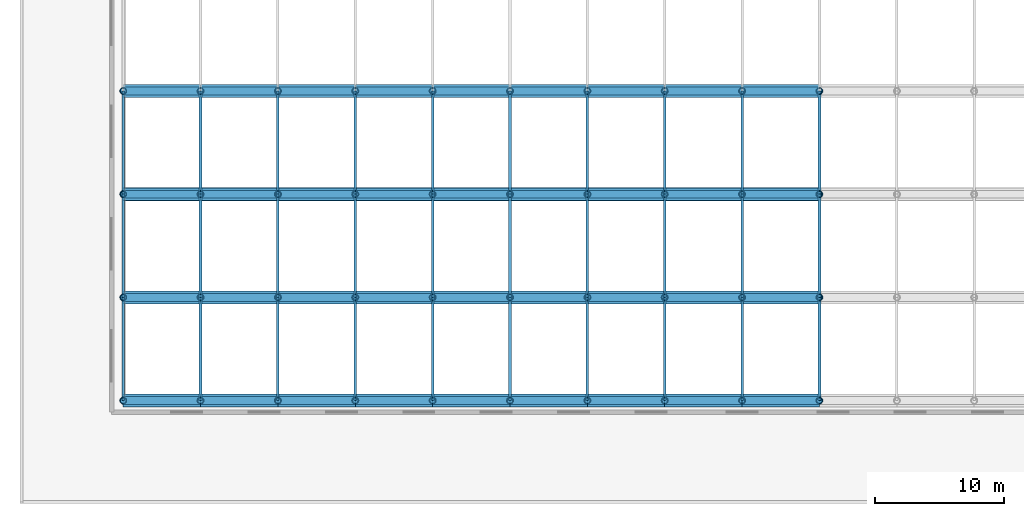
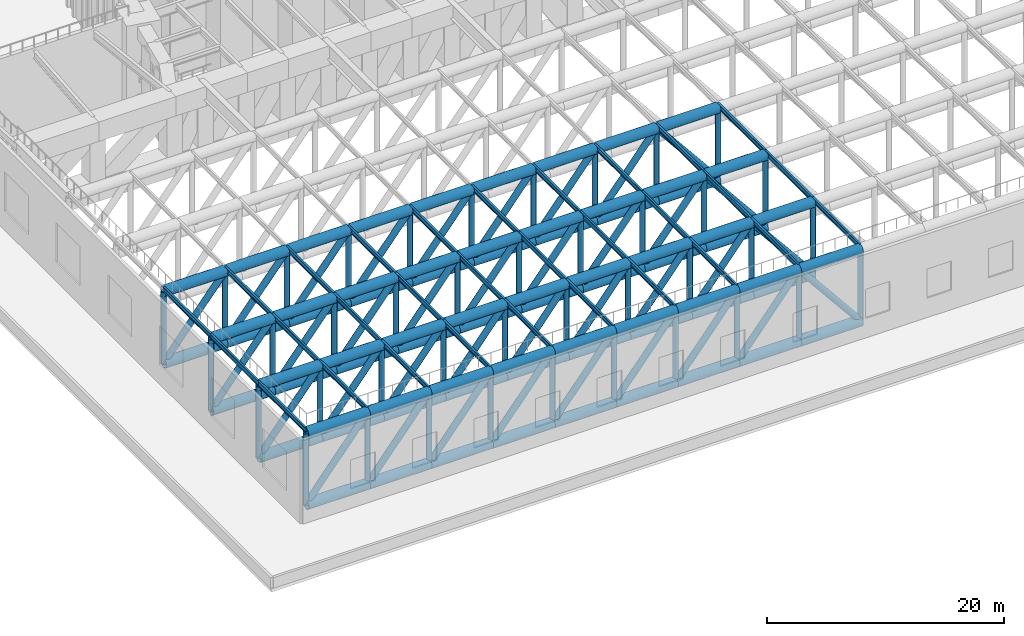
# One storey, part 2 of 20: 148 members, 30 beams.
"""IFC4 building model written with IfcOpenShell, lengths in metres."""

from ifc_helpers import new_model, si_unit, direction, frame, origin, origin_2d, place, context, subcontext, project, spatial, hollow_circle, i_section, extrude, material, material_profile, profile_set, type_object, element, save


model = new_model("IFC4")

# Units and contexts
model_context = context("Model", 3, precision=1e-05, world=origin(), true_north=direction((0.0, 1.0)))
body_context = subcontext(model_context, "Body", "Model", "MODEL_VIEW")
ifc_project = project(units=[si_unit("LENGTHUNIT", "METRE"), si_unit("AREAUNIT", "SQUARE_METRE"), si_unit("VOLUMEUNIT", "CUBIC_METRE"), si_unit("PLANEANGLEUNIT", "RADIAN"), si_unit("MASSUNIT", "GRAM", prefix="KILO")], contexts=[model_context])

# Site, building, storey
site_placement = place(None, origin())
site = spatial("IfcSite", under=ifc_project, at=site_placement, CompositionType="ELEMENT")
building_placement = place(site_placement, origin())
building = spatial("IfcBuilding", under=site, at=building_placement, Name="Isbrekke Arena Tower", CompositionType="ELEMENT")
storey_placement = place(building_placement, frame((0.0, 0.0, 19.0)))
storey = spatial("IfcBuildingStorey", under=building, at=storey_placement, Name="L03", CompositionType="ELEMENT", Elevation=19.0)

# Beams
ifc_material_1 = material(Name="Steel S355", Category="steel")
ifc_material_profile_1 = material_profile(ifc_material_1, i_section(OverallWidth=0.199951171875, OverallDepth=0.5, WebThickness=0.01025390625, FlangeThickness=0.01611328125, FilletRadius=0.02099609375, at=origin_2d()), Name="IPE 500")
ifc_profile_set_1 = profile_set([ifc_material_profile_1], Name="Steel S355")
beam_type = type_object("IfcBeamType", Name="RP1 IPE 500", PredefinedType="BEAM", material=ifc_profile_set_1)
for number, where, z_axis, x_axis, name in (
    (1, (-48.0, -66.0, 8.75), (0.0, 1.0, 0.0), (-1.0, 0.0, 0.0), "RP1 roof purlin 1.1"),
    (2, (-42.0, -66.0, 8.75), (0.0, 1.0, 0.0), (-1.0, 0.0, 0.0), "RP1 roof purlin 1.2"),
    (3, (-36.0, -66.0, 8.75), (0.0, 1.0, 0.0), (-1.0, 0.0, 0.0), "RP1 roof purlin 1.3"),
    (4, (-30.0, -66.0, 8.75), (0.0, 1.0, 0.0), (-1.0, 0.0, 0.0), "RP1 roof purlin 1.4"),
    (5, (-24.0, -66.0, 8.75), (0.0, 1.0, 0.0), (-1.0, 0.0, 0.0), "RP1 roof purlin 1.5"),
    (6, (-18.0, -66.0, 8.75), (0.0, 1.0, 0.0), (-1.0, 0.0, 0.0), "RP1 roof purlin 1.6"),
    (7, (-12.0, -66.0, 8.75), (0.0, 1.0, 0.0), (-1.0, 0.0, 0.0), "RP1 roof purlin 1.7"),
    (8, (-6.0, -66.0, 8.75), (0.0, 1.0, 0.0), (-1.0, 0.0, 0.0), "RP1 roof purlin 1.8"),
    (9, (0.0, -66.0, 8.75), (0.0, 1.0, 0.0), (-1.0, 0.0, 0.0), "RP1 roof purlin 1.9"),
    (10, (6.0, -66.0, 8.75), (0.0, 1.0, 0.0), (-1.0, 0.0, 0.0), "RP1 roof purlin 1.10"),
    (11, (-48.0, -58.0, 8.75), (0.0, 1.0, 0.0), (-1.0, 0.0, 0.0), "RP1 roof purlin 2.1"),
    (12, (-42.0, -58.0, 8.75), (0.0, 1.0, 0.0), (-1.0, 0.0, 0.0), "RP1 roof purlin 2.2"),
    (13, (-36.0, -58.0, 8.75), (0.0, 1.0, 0.0), (-1.0, 0.0, 0.0), "RP1 roof purlin 2.3"),
    (14, (-30.0, -58.0, 8.75), (0.0, 1.0, 0.0), (-1.0, 0.0, 0.0), "RP1 roof purlin 2.4"),
    (15, (-24.0, -58.0, 8.75), (0.0, 1.0, 0.0), (-1.0, 0.0, 0.0), "RP1 roof purlin 2.5"),
    (16, (-18.0, -58.0, 8.75), (0.0, 1.0, 0.0), (-1.0, 0.0, 0.0), "RP1 roof purlin 2.6"),
    (17, (-12.0, -58.0, 8.75), (0.0, 1.0, 0.0), (-1.0, 0.0, 0.0), "RP1 roof purlin 2.7"),
    (18, (-6.0, -58.0, 8.75), (0.0, 1.0, 0.0), (-1.0, 0.0, 0.0), "RP1 roof purlin 2.8"),
    (19, (0.0, -58.0, 8.75), (0.0, 1.0, 0.0), (-1.0, 0.0, 0.0), "RP1 roof purlin 2.9"),
    (20, (6.0, -58.0, 8.75), (0.0, 1.0, 0.0), (-1.0, 0.0, 0.0), "RP1 roof purlin 2.10"),
    (21, (-48.0, -50.0, 8.75), (0.0, 1.0, 0.0), (-1.0, 0.0, 0.0), "RP1 roof purlin 3.1"),
    (22, (-42.0, -50.0, 8.75), (0.0, 1.0, 0.0), (-1.0, 0.0, 0.0), "RP1 roof purlin 3.2"),
    (23, (-36.0, -50.0, 8.75), (0.0, 1.0, 0.0), (-1.0, 0.0, 0.0), "RP1 roof purlin 3.3"),
    (24, (-30.0, -50.0, 8.75), (0.0, 1.0, 0.0), (-1.0, 0.0, 0.0), "RP1 roof purlin 3.4"),
    (25, (-24.0, -50.0, 8.75), (0.0, 1.0, 0.0), (-1.0, 0.0, 0.0), "RP1 roof purlin 3.5"),
    (26, (-18.0, -50.0, 8.75), (0.0, 1.0, 0.0), (-1.0, 0.0, 0.0), "RP1 roof purlin 3.6"),
    (27, (-12.0, -50.0, 8.75), (0.0, 1.0, 0.0), (-1.0, 0.0, 0.0), "RP1 roof purlin 3.7"),
    (28, (-6.0, -50.0, 8.75), (0.0, 1.0, 0.0), (-1.0, 0.0, 0.0), "RP1 roof purlin 3.8"),
    (29, (0.0, -50.0, 8.75), (0.0, 1.0, 0.0), (-1.0, 0.0, 0.0), "RP1 roof purlin 3.9"),
    (30, (6.0, -50.0, 8.75), (0.0, 1.0, 0.0), (-1.0, 0.0, 0.0), "RP1 roof purlin 3.10"),
):
    element("IfcBeam", number, at=place(storey_placement, frame(where, z_axis=z_axis, x_axis=x_axis)), inside=storey, type_object=beam_type, Name=name, PredefinedType="BEAM", context=body_context, shape_type="SweptSolid", body=[
        extrude(i_section(OverallWidth=0.199951171875, OverallDepth=0.5, WebThickness=0.01025390625, FlangeThickness=0.01611328125, FilletRadius=0.02099609375, at=origin_2d()), origin(), (0.0, 0.0, 1.0), 8.0),
    ])

# Members
ifc_material_2 = material(Name="Steel S355", Category="steel")
ifc_material_profile_2 = material_profile(ifc_material_2, hollow_circle(Radius=0.508056640625, WallThickness=0.050048828125, at=origin_2d()), Name="CHS 1016x50")
ifc_profile_set_2 = profile_set([ifc_material_profile_2], Name="Steel S355")
member_type_1 = type_object("IfcMemberType", Name="RT1 CHS 1016x50", PredefinedType="CHORD", material=ifc_profile_set_2)
for number, where, z_axis, x_axis, name in (
    (31, (-48.0, -66.0, 1.10791015625), (1.0, 0.0, 0.0), (0.0, 1.0, 0.0), "RT1 arena roof truss bottom chord 1"),
    (32, (-48.0, -66.0, 8.491943359375), (1.0, 0.0, 0.0), (0.0, 1.0, 0.0), "RT1 arena roof truss top chord 1"),
    (33, (-42.0, -66.0, 1.10791015625), (1.0, 0.0, 0.0), (0.0, 1.0, 0.0), "RT1 arena roof truss bottom chord 2"),
    (34, (-42.0, -66.0, 8.491943359375), (1.0, 0.0, 0.0), (0.0, 1.0, 0.0), "RT1 arena roof truss top chord 2"),
    (35, (-36.0, -66.0, 1.10791015625), (1.0, 0.0, 0.0), (0.0, 1.0, 0.0), "RT1 arena roof truss bottom chord 3"),
    (36, (-36.0, -66.0, 8.491943359375), (1.0, 0.0, 0.0), (0.0, 1.0, 0.0), "RT1 arena roof truss top chord 3"),
    (37, (-30.0, -66.0, 1.10791015625), (1.0, 0.0, 0.0), (0.0, 1.0, 0.0), "RT1 arena roof truss bottom chord 4"),
    (38, (-30.0, -66.0, 8.491943359375), (1.0, 0.0, 0.0), (0.0, 1.0, 0.0), "RT1 arena roof truss top chord 4"),
    (39, (-24.0, -66.0, 1.10791015625), (1.0, 0.0, 0.0), (0.0, 1.0, 0.0), "RT1 arena roof truss bottom chord 5"),
    (40, (-24.0, -66.0, 8.491943359375), (1.0, 0.0, 0.0), (0.0, 1.0, 0.0), "RT1 arena roof truss top chord 5"),
    (41, (-18.0, -66.0, 1.10791015625), (1.0, 0.0, 0.0), (0.0, 1.0, 0.0), "RT1 arena roof truss bottom chord 6"),
    (42, (-18.0, -66.0, 8.491943359375), (1.0, 0.0, 0.0), (0.0, 1.0, 0.0), "RT1 arena roof truss top chord 6"),
    (43, (-12.0, -66.0, 1.10791015625), (1.0, 0.0, 0.0), (0.0, 1.0, 0.0), "RT1 arena roof truss bottom chord 7"),
    (44, (-12.0, -66.0, 8.491943359375), (1.0, 0.0, 0.0), (0.0, 1.0, 0.0), "RT1 arena roof truss top chord 7"),
    (45, (-6.0, -66.0, 1.10791015625), (1.0, 0.0, 0.0), (0.0, 1.0, 0.0), "RT1 arena roof truss bottom chord 8"),
    (46, (-6.0, -66.0, 8.491943359375), (1.0, 0.0, 0.0), (0.0, 1.0, 0.0), "RT1 arena roof truss top chord 8"),
    (47, (0.0, -66.0, 1.10791015625), (1.0, 0.0, 0.0), (0.0, 1.0, 0.0), "RT1 arena roof truss bottom chord 9"),
    (48, (0.0, -66.0, 8.491943359375), (1.0, 0.0, 0.0), (0.0, 1.0, 0.0), "RT1 arena roof truss top chord 9"),
    (49, (-48.0, -58.0, 1.10791015625), (1.0, 0.0, 0.0), (0.0, 1.0, 0.0), "RT2 arena roof truss bottom chord 1"),
    (50, (-48.0, -58.0, 8.491943359375), (1.0, 0.0, 0.0), (0.0, 1.0, 0.0), "RT2 arena roof truss top chord 1"),
    (51, (-42.0, -58.0, 1.10791015625), (1.0, 0.0, 0.0), (0.0, 1.0, 0.0), "RT2 arena roof truss bottom chord 2"),
    (52, (-42.0, -58.0, 8.491943359375), (1.0, 0.0, 0.0), (0.0, 1.0, 0.0), "RT2 arena roof truss top chord 2"),
    (53, (-36.0, -58.0, 1.10791015625), (1.0, 0.0, 0.0), (0.0, 1.0, 0.0), "RT2 arena roof truss bottom chord 3"),
    (54, (-36.0, -58.0, 8.491943359375), (1.0, 0.0, 0.0), (0.0, 1.0, 0.0), "RT2 arena roof truss top chord 3"),
    (55, (-30.0, -58.0, 1.10791015625), (1.0, 0.0, 0.0), (0.0, 1.0, 0.0), "RT2 arena roof truss bottom chord 4"),
    (56, (-30.0, -58.0, 8.491943359375), (1.0, 0.0, 0.0), (0.0, 1.0, 0.0), "RT2 arena roof truss top chord 4"),
    (57, (-24.0, -58.0, 1.10791015625), (1.0, 0.0, 0.0), (0.0, 1.0, 0.0), "RT2 arena roof truss bottom chord 5"),
    (58, (-24.0, -58.0, 8.491943359375), (1.0, 0.0, 0.0), (0.0, 1.0, 0.0), "RT2 arena roof truss top chord 5"),
    (59, (-18.0, -58.0, 1.10791015625), (1.0, 0.0, 0.0), (0.0, 1.0, 0.0), "RT2 arena roof truss bottom chord 6"),
    (60, (-18.0, -58.0, 8.491943359375), (1.0, 0.0, 0.0), (0.0, 1.0, 0.0), "RT2 arena roof truss top chord 6"),
    (61, (-12.0, -58.0, 1.10791015625), (1.0, 0.0, 0.0), (0.0, 1.0, 0.0), "RT2 arena roof truss bottom chord 7"),
    (62, (-12.0, -58.0, 8.491943359375), (1.0, 0.0, 0.0), (0.0, 1.0, 0.0), "RT2 arena roof truss top chord 7"),
    (63, (-6.0, -58.0, 1.10791015625), (1.0, 0.0, 0.0), (0.0, 1.0, 0.0), "RT2 arena roof truss bottom chord 8"),
    (64, (-6.0, -58.0, 8.491943359375), (1.0, 0.0, 0.0), (0.0, 1.0, 0.0), "RT2 arena roof truss top chord 8"),
    (65, (0.0, -58.0, 1.10791015625), (1.0, 0.0, 0.0), (0.0, 1.0, 0.0), "RT2 arena roof truss bottom chord 9"),
    (66, (0.0, -58.0, 8.491943359375), (1.0, 0.0, 0.0), (0.0, 1.0, 0.0), "RT2 arena roof truss top chord 9"),
    (67, (-48.0, -50.0, 1.10791015625), (1.0, 0.0, 0.0), (0.0, 1.0, 0.0), "RT3 arena roof truss bottom chord 1"),
    (68, (-48.0, -50.0, 8.491943359375), (1.0, 0.0, 0.0), (0.0, 1.0, 0.0), "RT3 arena roof truss top chord 1"),
    (69, (-42.0, -50.0, 1.10791015625), (1.0, 0.0, 0.0), (0.0, 1.0, 0.0), "RT3 arena roof truss bottom chord 2"),
    (70, (-42.0, -50.0, 8.491943359375), (1.0, 0.0, 0.0), (0.0, 1.0, 0.0), "RT3 arena roof truss top chord 2"),
    (71, (-36.0, -50.0, 1.10791015625), (1.0, 0.0, 0.0), (0.0, 1.0, 0.0), "RT3 arena roof truss bottom chord 3"),
    (72, (-36.0, -50.0, 8.491943359375), (1.0, 0.0, 0.0), (0.0, 1.0, 0.0), "RT3 arena roof truss top chord 3"),
    (73, (-30.0, -50.0, 1.10791015625), (1.0, 0.0, 0.0), (0.0, 1.0, 0.0), "RT3 arena roof truss bottom chord 4"),
    (74, (-30.0, -50.0, 8.491943359375), (1.0, 0.0, 0.0), (0.0, 1.0, 0.0), "RT3 arena roof truss top chord 4"),
    (75, (-24.0, -50.0, 1.10791015625), (1.0, 0.0, 0.0), (0.0, 1.0, 0.0), "RT3 arena roof truss bottom chord 5"),
    (76, (-24.0, -50.0, 8.491943359375), (1.0, 0.0, 0.0), (0.0, 1.0, 0.0), "RT3 arena roof truss top chord 5"),
    (77, (-18.0, -50.0, 1.10791015625), (1.0, 0.0, 0.0), (0.0, 1.0, 0.0), "RT3 arena roof truss bottom chord 6"),
    (78, (-18.0, -50.0, 8.491943359375), (1.0, 0.0, 0.0), (0.0, 1.0, 0.0), "RT3 arena roof truss top chord 6"),
    (79, (-12.0, -50.0, 1.10791015625), (1.0, 0.0, 0.0), (0.0, 1.0, 0.0), "RT3 arena roof truss bottom chord 7"),
    (80, (-12.0, -50.0, 8.491943359375), (1.0, 0.0, 0.0), (0.0, 1.0, 0.0), "RT3 arena roof truss top chord 7"),
    (81, (-6.0, -50.0, 1.10791015625), (1.0, 0.0, 0.0), (0.0, 1.0, 0.0), "RT3 arena roof truss bottom chord 8"),
    (82, (-6.0, -50.0, 8.491943359375), (1.0, 0.0, 0.0), (0.0, 1.0, 0.0), "RT3 arena roof truss top chord 8"),
    (83, (0.0, -50.0, 1.10791015625), (1.0, 0.0, 0.0), (0.0, 1.0, 0.0), "RT3 arena roof truss bottom chord 9"),
    (84, (0.0, -50.0, 8.491943359375), (1.0, 0.0, 0.0), (0.0, 1.0, 0.0), "RT3 arena roof truss top chord 9"),
    (85, (-48.0, -42.0, 1.10791015625), (1.0, 0.0, 0.0), (0.0, 1.0, 0.0), "RT4 arena roof truss bottom chord 1"),
    (86, (-48.0, -42.0, 8.491943359375), (1.0, 0.0, 0.0), (0.0, 1.0, 0.0), "RT4 arena roof truss top chord 1"),
    (87, (-42.0, -42.0, 1.10791015625), (1.0, 0.0, 0.0), (0.0, 1.0, 0.0), "RT4 arena roof truss bottom chord 2"),
    (88, (-42.0, -42.0, 8.491943359375), (1.0, 0.0, 0.0), (0.0, 1.0, 0.0), "RT4 arena roof truss top chord 2"),
    (89, (-36.0, -42.0, 1.10791015625), (1.0, 0.0, 0.0), (0.0, 1.0, 0.0), "RT4 arena roof truss bottom chord 3"),
    (90, (-36.0, -42.0, 8.491943359375), (1.0, 0.0, 0.0), (0.0, 1.0, 0.0), "RT4 arena roof truss top chord 3"),
    (91, (-30.0, -42.0, 1.10791015625), (1.0, 0.0, 0.0), (0.0, 1.0, 0.0), "RT4 arena roof truss bottom chord 4"),
    (92, (-30.0, -42.0, 8.491943359375), (1.0, 0.0, 0.0), (0.0, 1.0, 0.0), "RT4 arena roof truss top chord 4"),
    (93, (-24.0, -42.0, 1.10791015625), (1.0, 0.0, 0.0), (0.0, 1.0, 0.0), "RT4 arena roof truss bottom chord 5"),
    (94, (-24.0, -42.0, 8.491943359375), (1.0, 0.0, 0.0), (0.0, 1.0, 0.0), "RT4 arena roof truss top chord 5"),
    (95, (-18.0, -42.0, 1.10791015625), (1.0, 0.0, 0.0), (0.0, 1.0, 0.0), "RT4 arena roof truss bottom chord 6"),
    (96, (-18.0, -42.0, 8.491943359375), (1.0, 0.0, 0.0), (0.0, 1.0, 0.0), "RT4 arena roof truss top chord 6"),
    (97, (-12.0, -42.0, 1.10791015625), (1.0, 0.0, 0.0), (0.0, 1.0, 0.0), "RT4 arena roof truss bottom chord 7"),
    (98, (-12.0, -42.0, 8.491943359375), (1.0, 0.0, 0.0), (0.0, 1.0, 0.0), "RT4 arena roof truss top chord 7"),
    (99, (-6.0, -42.0, 1.10791015625), (1.0, 0.0, 0.0), (0.0, 1.0, 0.0), "RT4 arena roof truss bottom chord 8"),
    (100, (-6.0, -42.0, 8.491943359375), (1.0, 0.0, 0.0), (0.0, 1.0, 0.0), "RT4 arena roof truss top chord 8"),
    (101, (0.0, -42.0, 1.10791015625), (1.0, 0.0, 0.0), (0.0, 1.0, 0.0), "RT4 arena roof truss bottom chord 9"),
    (102, (0.0, -42.0, 8.491943359375), (1.0, 0.0, 0.0), (0.0, 1.0, 0.0), "RT4 arena roof truss top chord 9"),
):
    element("IfcMember", number, at=place(storey_placement, frame(where, z_axis=z_axis, x_axis=x_axis)), inside=storey, type_object=member_type_1, Name=name, PredefinedType="CHORD", context=body_context, shape_type="SweptSolid", body=[
        extrude(hollow_circle(Radius=0.508056640625, WallThickness=0.050048828125, at=origin_2d()), origin(), (0.0, 0.0, 1.0), 6.0),
    ])
ifc_material_3 = material(Name="Steel S355", Category="steel")
ifc_material_profile_3 = material_profile(ifc_material_3, hollow_circle(Radius=0.25390625, WallThickness=0.02001953125, at=origin_2d()), Name="CHS 508x20")
ifc_profile_set_3 = profile_set([ifc_material_profile_3], Name="Steel S355")
member_type_2 = type_object("IfcMemberType", Name="RT2 CHS 508x20", PredefinedType="POST", material=ifc_profile_set_3)
for number, where, z_axis, x_axis, name in (
    (103, (-48.0, -66.0, 1.10791015625), (0.0, 0.0, 1.0), (1.0, 0.0, 0.0), "RT1 arena roof truss post 1"),
    (104, (-42.0, -66.0, 1.10791015625), (0.0, 0.0, 1.0), (1.0, 0.0, 0.0), "RT1 arena roof truss post 2"),
    (105, (-36.0, -66.0, 1.10791015625), (0.0, 0.0, 1.0), (1.0, 0.0, 0.0), "RT1 arena roof truss post 3"),
    (106, (-30.0, -66.0, 1.10791015625), (0.0, 0.0, 1.0), (1.0, 0.0, 0.0), "RT1 arena roof truss post 4"),
    (107, (-24.0, -66.0, 1.10791015625), (0.0, 0.0, 1.0), (1.0, 0.0, 0.0), "RT1 arena roof truss post 5"),
    (108, (-18.0, -66.0, 1.10791015625), (0.0, 0.0, 1.0), (1.0, 0.0, 0.0), "RT1 arena roof truss post 6"),
    (109, (-12.0, -66.0, 1.10791015625), (0.0, 0.0, 1.0), (1.0, 0.0, 0.0), "RT1 arena roof truss post 7"),
    (110, (-6.0, -66.0, 1.10791015625), (0.0, 0.0, 1.0), (1.0, 0.0, 0.0), "RT1 arena roof truss post 8"),
    (111, (0.0, -66.0, 1.10791015625), (0.0, 0.0, 1.0), (1.0, 0.0, 0.0), "RT1 arena roof truss post 9"),
    (112, (6.0, -66.0, 1.10791015625), (0.0, 0.0, 1.0), (1.0, 0.0, 0.0), "RT1 arena roof truss post 10"),
    (113, (-48.0, -58.0, 1.10791015625), (0.0, 0.0, 1.0), (1.0, 0.0, 0.0), "RT2 arena roof truss post 1"),
    (114, (-42.0, -58.0, 1.10791015625), (0.0, 0.0, 1.0), (1.0, 0.0, 0.0), "RT2 arena roof truss post 2"),
    (115, (-36.0, -58.0, 1.10791015625), (0.0, 0.0, 1.0), (1.0, 0.0, 0.0), "RT2 arena roof truss post 3"),
    (116, (-30.0, -58.0, 1.10791015625), (0.0, 0.0, 1.0), (1.0, 0.0, 0.0), "RT2 arena roof truss post 4"),
    (117, (-24.0, -58.0, 1.10791015625), (0.0, 0.0, 1.0), (1.0, 0.0, 0.0), "RT2 arena roof truss post 5"),
    (118, (-18.0, -58.0, 1.10791015625), (0.0, 0.0, 1.0), (1.0, 0.0, 0.0), "RT2 arena roof truss post 6"),
    (119, (-12.0, -58.0, 1.10791015625), (0.0, 0.0, 1.0), (1.0, 0.0, 0.0), "RT2 arena roof truss post 7"),
    (120, (-6.0, -58.0, 1.10791015625), (0.0, 0.0, 1.0), (1.0, 0.0, 0.0), "RT2 arena roof truss post 8"),
    (121, (0.0, -58.0, 1.10791015625), (0.0, 0.0, 1.0), (1.0, 0.0, 0.0), "RT2 arena roof truss post 9"),
    (122, (6.0, -58.0, 1.10791015625), (0.0, 0.0, 1.0), (1.0, 0.0, 0.0), "RT2 arena roof truss post 10"),
    (123, (-48.0, -50.0, 1.10791015625), (0.0, 0.0, 1.0), (1.0, 0.0, 0.0), "RT3 arena roof truss post 1"),
    (124, (-42.0, -50.0, 1.10791015625), (0.0, 0.0, 1.0), (1.0, 0.0, 0.0), "RT3 arena roof truss post 2"),
    (125, (-36.0, -50.0, 1.10791015625), (0.0, 0.0, 1.0), (1.0, 0.0, 0.0), "RT3 arena roof truss post 3"),
    (126, (-30.0, -50.0, 1.10791015625), (0.0, 0.0, 1.0), (1.0, 0.0, 0.0), "RT3 arena roof truss post 4"),
    (127, (-24.0, -50.0, 1.10791015625), (0.0, 0.0, 1.0), (1.0, 0.0, 0.0), "RT3 arena roof truss post 5"),
    (128, (-18.0, -50.0, 1.10791015625), (0.0, 0.0, 1.0), (1.0, 0.0, 0.0), "RT3 arena roof truss post 6"),
    (129, (-12.0, -50.0, 1.10791015625), (0.0, 0.0, 1.0), (1.0, 0.0, 0.0), "RT3 arena roof truss post 7"),
    (130, (-6.0, -50.0, 1.10791015625), (0.0, 0.0, 1.0), (1.0, 0.0, 0.0), "RT3 arena roof truss post 8"),
    (131, (0.0, -50.0, 1.10791015625), (0.0, 0.0, 1.0), (1.0, 0.0, 0.0), "RT3 arena roof truss post 9"),
    (132, (6.0, -50.0, 1.10791015625), (0.0, 0.0, 1.0), (1.0, 0.0, 0.0), "RT3 arena roof truss post 10"),
    (133, (-48.0, -42.0, 1.10791015625), (0.0, 0.0, 1.0), (1.0, 0.0, 0.0), "RT4 arena roof truss post 1"),
    (134, (-42.0, -42.0, 1.10791015625), (0.0, 0.0, 1.0), (1.0, 0.0, 0.0), "RT4 arena roof truss post 2"),
    (135, (-36.0, -42.0, 1.10791015625), (0.0, 0.0, 1.0), (1.0, 0.0, 0.0), "RT4 arena roof truss post 3"),
    (136, (-30.0, -42.0, 1.10791015625), (0.0, 0.0, 1.0), (1.0, 0.0, 0.0), "RT4 arena roof truss post 4"),
    (137, (-24.0, -42.0, 1.10791015625), (0.0, 0.0, 1.0), (1.0, 0.0, 0.0), "RT4 arena roof truss post 5"),
    (138, (-18.0, -42.0, 1.10791015625), (0.0, 0.0, 1.0), (1.0, 0.0, 0.0), "RT4 arena roof truss post 6"),
    (139, (-12.0, -42.0, 1.10791015625), (0.0, 0.0, 1.0), (1.0, 0.0, 0.0), "RT4 arena roof truss post 7"),
    (140, (-6.0, -42.0, 1.10791015625), (0.0, 0.0, 1.0), (1.0, 0.0, 0.0), "RT4 arena roof truss post 8"),
    (141, (0.0, -42.0, 1.10791015625), (0.0, 0.0, 1.0), (1.0, 0.0, 0.0), "RT4 arena roof truss post 9"),
    (142, (6.0, -42.0, 1.10791015625), (0.0, 0.0, 1.0), (1.0, 0.0, 0.0), "RT4 arena roof truss post 10"),
):
    element("IfcMember", number, at=place(storey_placement, frame(where, z_axis=z_axis, x_axis=x_axis)), inside=storey, type_object=member_type_2, Name=name, PredefinedType="POST", context=body_context, shape_type="SweptSolid", body=[
        extrude(hollow_circle(Radius=0.25390625, WallThickness=0.02001953125, at=origin_2d()), origin(), (0.0, 0.0, 1.0), 7.384033203125),
    ])
ifc_material_4 = material(Name="Steel S355", Category="steel")
ifc_material_profile_4 = material_profile(ifc_material_4, hollow_circle(Radius=0.304931640625, WallThickness=0.050048828125, at=origin_2d()), Name="CHS 610x50")
ifc_profile_set_4 = profile_set([ifc_material_profile_4], Name="Steel S355")
member_type_3 = type_object("IfcMemberType", Name="RT3 CHS 610x50", PredefinedType="BRACE", material=ifc_profile_set_4)
for number, where, z_axis, x_axis, name in (
    (143, (-48.0, -66.0, 1.10791015625), (0.630622571469, 0.0, 0.776089667728), (0.0, 1.0, 0.0), "RT1 arena roof truss diagonal 1"),
    (144, (-42.0, -66.0, 1.10791015625), (0.630622571469, 0.0, 0.776089667728), (0.0, 1.0, 0.0), "RT1 arena roof truss diagonal 2"),
    (145, (-36.0, -66.0, 1.10791015625), (0.630622571469, 0.0, 0.776089667728), (0.0, 1.0, 0.0), "RT1 arena roof truss diagonal 3"),
    (146, (-30.0, -66.0, 1.10791015625), (0.630622571469, 0.0, 0.776089667728), (0.0, 1.0, 0.0), "RT1 arena roof truss diagonal 4"),
    (147, (-24.0, -66.0, 1.10791015625), (0.630622571469, 0.0, 0.776089667728), (0.0, 1.0, 0.0), "RT1 arena roof truss diagonal 5"),
    (148, (-18.0, -66.0, 1.10791015625), (0.630622571469, 0.0, 0.776089667728), (0.0, 1.0, 0.0), "RT1 arena roof truss diagonal 6"),
    (149, (-12.0, -66.0, 1.10791015625), (0.630622571469, 0.0, 0.776089667728), (0.0, 1.0, 0.0), "RT1 arena roof truss diagonal 7"),
    (150, (-6.0, -66.0, 1.10791015625), (0.630622571469, 0.0, 0.776089667728), (0.0, 1.0, 0.0), "RT1 arena roof truss diagonal 8"),
    (151, (0.0, -66.0, 8.491943359375), (0.630622571469, 0.0, -0.776089667728), (0.0, 1.0, 0.0), "RT1 arena roof truss diagonal 9"),
    (152, (-48.0, -58.0, 1.10791015625), (0.630622571469, 0.0, 0.776089667728), (0.0, 1.0, 0.0), "RT2 arena roof truss diagonal 1"),
    (153, (-42.0, -58.0, 1.10791015625), (0.630622571469, 0.0, 0.776089667728), (0.0, 1.0, 0.0), "RT2 arena roof truss diagonal 2"),
    (154, (-36.0, -58.0, 1.10791015625), (0.630622571469, 0.0, 0.776089667728), (0.0, 1.0, 0.0), "RT2 arena roof truss diagonal 3"),
    (155, (-30.0, -58.0, 1.10791015625), (0.630622571469, 0.0, 0.776089667728), (0.0, 1.0, 0.0), "RT2 arena roof truss diagonal 4"),
    (156, (-24.0, -58.0, 1.10791015625), (0.630622571469, 0.0, 0.776089667728), (0.0, 1.0, 0.0), "RT2 arena roof truss diagonal 5"),
    (157, (-18.0, -58.0, 1.10791015625), (0.630622571469, 0.0, 0.776089667728), (0.0, 1.0, 0.0), "RT2 arena roof truss diagonal 6"),
    (158, (-12.0, -58.0, 1.10791015625), (0.630622571469, 0.0, 0.776089667728), (0.0, 1.0, 0.0), "RT2 arena roof truss diagonal 7"),
    (159, (-6.0, -58.0, 1.10791015625), (0.630622571469, 0.0, 0.776089667728), (0.0, 1.0, 0.0), "RT2 arena roof truss diagonal 8"),
    (160, (0.0, -58.0, 8.491943359375), (0.630622571469, 0.0, -0.776089667728), (0.0, 1.0, 0.0), "RT2 arena roof truss diagonal 9"),
    (161, (-48.0, -50.0, 1.10791015625), (0.630622571469, 0.0, 0.776089667728), (0.0, 1.0, 0.0), "RT3 arena roof truss diagonal 1"),
    (162, (-42.0, -50.0, 1.10791015625), (0.630622571469, 0.0, 0.776089667728), (0.0, 1.0, 0.0), "RT3 arena roof truss diagonal 2"),
    (163, (-36.0, -50.0, 1.10791015625), (0.630622571469, 0.0, 0.776089667728), (0.0, 1.0, 0.0), "RT3 arena roof truss diagonal 3"),
    (164, (-30.0, -50.0, 1.10791015625), (0.630622571469, 0.0, 0.776089667728), (0.0, 1.0, 0.0), "RT3 arena roof truss diagonal 4"),
    (165, (-24.0, -50.0, 1.10791015625), (0.630622571469, 0.0, 0.776089667728), (0.0, 1.0, 0.0), "RT3 arena roof truss diagonal 5"),
    (166, (-18.0, -50.0, 1.10791015625), (0.630622571469, 0.0, 0.776089667728), (0.0, 1.0, 0.0), "RT3 arena roof truss diagonal 6"),
    (167, (-12.0, -50.0, 1.10791015625), (0.630622571469, 0.0, 0.776089667728), (0.0, 1.0, 0.0), "RT3 arena roof truss diagonal 7"),
    (168, (-6.0, -50.0, 1.10791015625), (0.630622571469, 0.0, 0.776089667728), (0.0, 1.0, 0.0), "RT3 arena roof truss diagonal 8"),
    (169, (0.0, -50.0, 8.491943359375), (0.630622571469, 0.0, -0.776089667728), (0.0, 1.0, 0.0), "RT3 arena roof truss diagonal 9"),
    (170, (-48.0, -42.0, 1.10791015625), (0.630622571469, 0.0, 0.776089667728), (0.0, 1.0, 0.0), "RT4 arena roof truss diagonal 1"),
    (171, (-42.0, -42.0, 1.10791015625), (0.630622571469, 0.0, 0.776089667728), (0.0, 1.0, 0.0), "RT4 arena roof truss diagonal 2"),
    (172, (-36.0, -42.0, 1.10791015625), (0.630622571469, 0.0, 0.776089667728), (0.0, 1.0, 0.0), "RT4 arena roof truss diagonal 3"),
    (173, (-30.0, -42.0, 1.10791015625), (0.630622571469, 0.0, 0.776089667728), (0.0, 1.0, 0.0), "RT4 arena roof truss diagonal 4"),
    (174, (-24.0, -42.0, 1.10791015625), (0.630622571469, 0.0, 0.776089667728), (0.0, 1.0, 0.0), "RT4 arena roof truss diagonal 5"),
    (175, (-18.0, -42.0, 1.10791015625), (0.630622571469, 0.0, 0.776089667728), (0.0, 1.0, 0.0), "RT4 arena roof truss diagonal 6"),
    (176, (-12.0, -42.0, 1.10791015625), (0.630622571469, 0.0, 0.776089667728), (0.0, 1.0, 0.0), "RT4 arena roof truss diagonal 7"),
    (177, (-6.0, -42.0, 1.10791015625), (0.630622571469, 0.0, 0.776089667728), (0.0, 1.0, 0.0), "RT4 arena roof truss diagonal 8"),
    (178, (0.0, -42.0, 8.491943359375), (0.630622571469, 0.0, -0.776089667728), (0.0, 1.0, 0.0), "RT4 arena roof truss diagonal 9"),
):
    element("IfcMember", number, at=place(storey_placement, frame(where, z_axis=z_axis, x_axis=x_axis)), inside=storey, type_object=member_type_3, Name=name, PredefinedType="BRACE", context=body_context, shape_type="SweptSolid", body=[
        extrude(hollow_circle(Radius=0.304931640625, WallThickness=0.050048828125, at=origin_2d()), origin(), (0.0, 0.0, 1.0), 9.514404296875),
    ])

save(model, "model.ifc")
